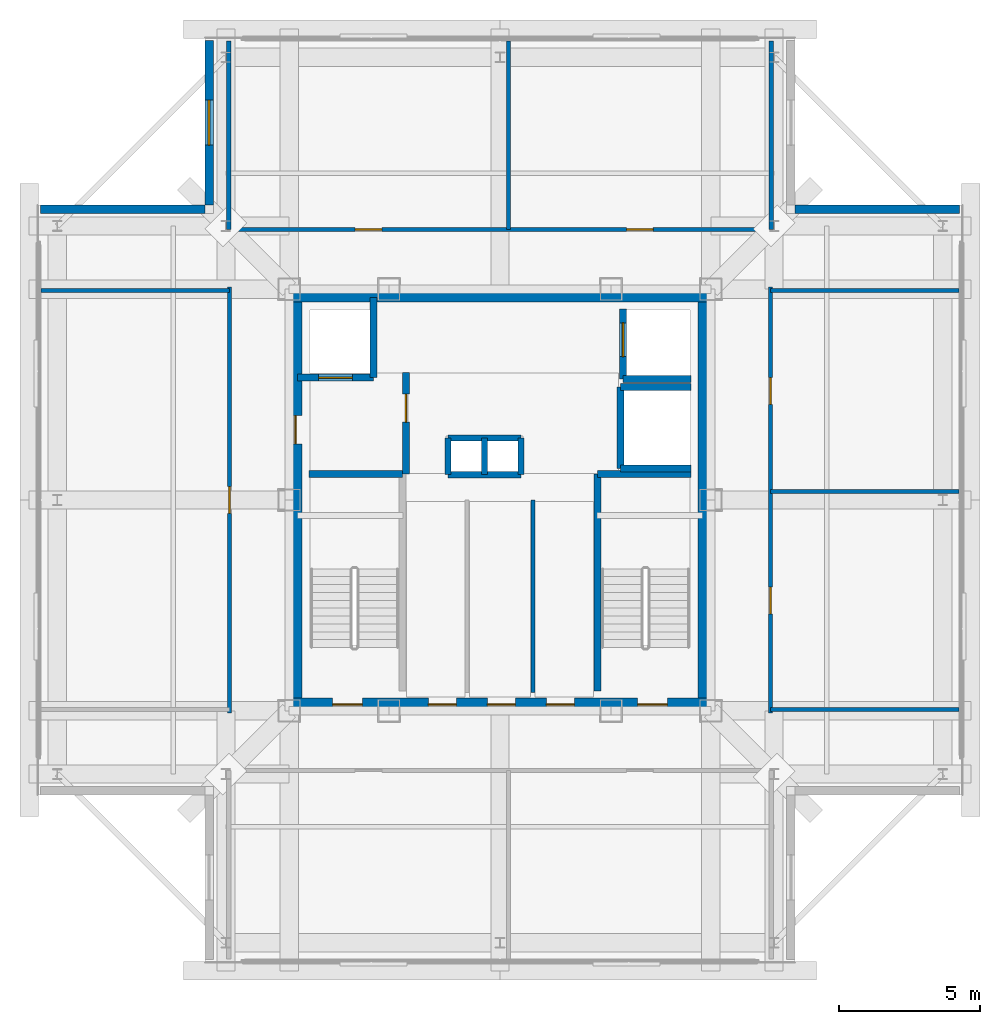
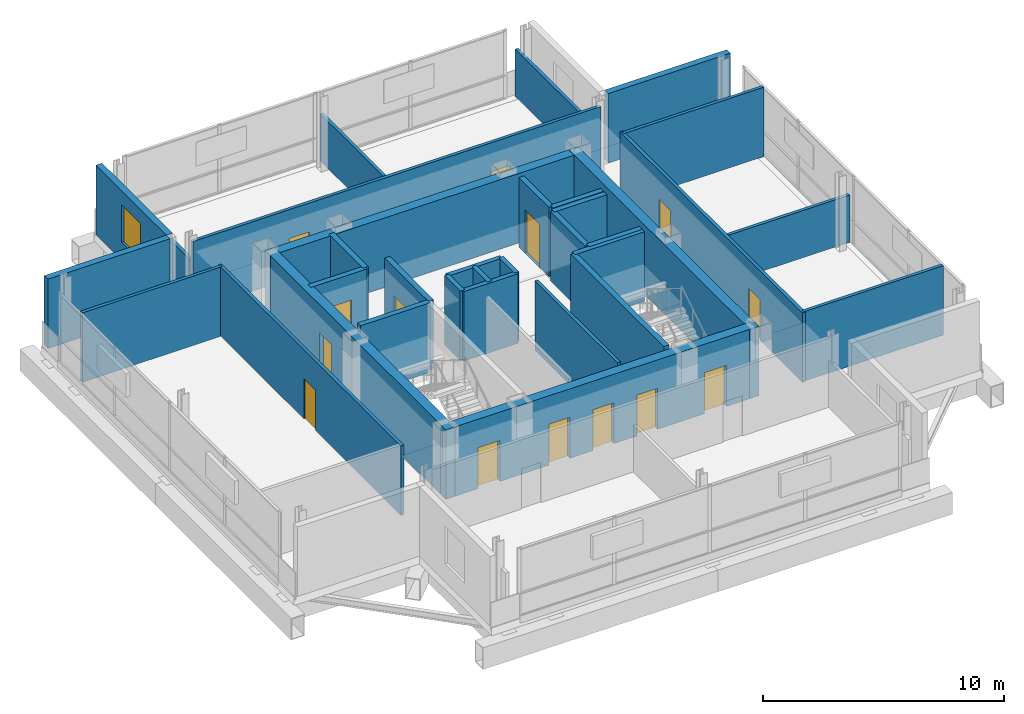
# One storey, part 9 of 12: 34 walls, 14 doors, 1 window, 15 openings.
"""IFC4 building model written with IfcOpenShell, lengths in metres."""

from ifc_helpers import new_model, si_unit, direction, frame, frame_2d, origin, place, context, subcontext, project, spatial, rectangle, extrude, material, layer, layer_set, type_object, element, fill, save


model = new_model("IFC4")

# Units and contexts
model_context = context("Model", 3, precision=1e-05, world=origin(), true_north=direction((0.0, 1.0)))
body_context = subcontext(model_context, "Body", "Model", "MODEL_VIEW")
ifc_project = project(units=[si_unit("LENGTHUNIT", "METRE"), si_unit("AREAUNIT", "SQUARE_METRE"), si_unit("VOLUMEUNIT", "CUBIC_METRE"), si_unit("PLANEANGLEUNIT", "RADIAN"), si_unit("MASSUNIT", "GRAM", prefix="KILO")], contexts=[model_context])

# Site, building, storey
site_placement = place(None, origin())
site = spatial("IfcSite", under=ifc_project, at=site_placement, CompositionType="ELEMENT")
building_placement = place(site_placement, origin())
building = spatial("IfcBuilding", under=site, at=building_placement, Name="Trevonay Congress Spire", CompositionType="ELEMENT")
storey_placement = place(building_placement, frame((0.0, 0.0, 308.39990234375)))
storey = spatial("IfcBuildingStorey", under=building, at=storey_placement, Name="L81", CompositionType="ELEMENT", Elevation=308.39990234375)

# Wall, openings, doors
ifc_material_1 = material(Name="Concrete C50/60", Category="concrete")
ifc_layer_1 = layer(ifc_material_1, 0.449951171875, Name="Concrete C50/60")
ifc_layer_set_1 = layer_set([ifc_layer_1], Name="Concrete C50/60")
wall_type_1 = type_object("IfcWallType", Name="WAL-CORE-450", PredefinedType="SHEAR", material=ifc_layer_set_1)
wall_1_placement = place(storey_placement, frame((-7.5, -7.27490234375, 0.0), z_axis=(0.0, 0.0, 1.0), x_axis=(1.0, 0.0, 0.0)))
wall_1 = element("IfcWall", 1, at=wall_1_placement, inside=storey, type_object=wall_type_1, Name="L81 South structural core shear wall", PredefinedType="SHEAR", context=body_context, shape_type="SweptSolid", body=[
    extrude(rectangle(XDim=15.0, YDim=0.449951171875, at=frame_2d((7.5, 0.0))), origin(), (0.0, 0.0, 1.0), 3.52001953125),
])
opening_1_placement = place(wall_1_placement, frame((1.550048828125, 0.0, 0.0)))
opening_1 = element("IfcOpeningElement", 2, at=opening_1_placement, cuts=wall_1, Name="Opening D05", PredefinedType="OPENING", context=body_context, shape_type="SweptSolid", body=[
    extrude(rectangle(XDim=1.050048828125, YDim=2.080078125, at=frame_2d((0.52490234375, 1.0400390625))), frame((0.0, 0.23486328125, 0.0), z_axis=(0.0, -1.0, 0.0), x_axis=(1.0, 0.0, 0.0)), (0.0, 0.0, 1.0), 0.469970703125),
])
opening_2_placement = place(wall_1_placement, frame((12.39990234375, 0.0, 0.0)))
opening_2 = element("IfcOpeningElement", 3, at=opening_2_placement, cuts=wall_1, Name="Opening D05", PredefinedType="OPENING", context=body_context, shape_type="SweptSolid", body=[
    extrude(rectangle(XDim=1.050048828125, YDim=2.080078125, at=frame_2d((0.52490234375, 1.0400390625))), frame((0.0, 0.23486328125, 0.0), z_axis=(0.0, -1.0, 0.0), x_axis=(1.0, 0.0, 0.0)), (0.0, 0.0, 1.0), 0.469970703125),
])
opening_3_placement = place(wall_1_placement, frame((4.949951171875, 0.0, 0.0)))
opening_3 = element("IfcOpeningElement", 4, at=opening_3_placement, cuts=wall_1, Name="Opening D06", PredefinedType="OPENING", context=body_context, shape_type="SweptSolid", body=[
    extrude(rectangle(XDim=1.0, YDim=2.080078125, at=frame_2d((0.5, 1.0400390625))), frame((0.0, 0.23486328125, 0.0), z_axis=(0.0, -1.0, 0.0), x_axis=(1.0, 0.0, 0.0)), (0.0, 0.0, 1.0), 0.469970703125),
])
opening_4_placement = place(wall_1_placement, frame((7.050048828125, 0.0, 0.0)))
opening_4 = element("IfcOpeningElement", 5, at=opening_4_placement, cuts=wall_1, Name="Opening D06", PredefinedType="OPENING", context=body_context, shape_type="SweptSolid", body=[
    extrude(rectangle(XDim=1.0, YDim=2.080078125, at=frame_2d((0.5, 1.0400390625))), frame((0.0, 0.23486328125, 0.0), z_axis=(0.0, -1.0, 0.0), x_axis=(1.0, 0.0, 0.0)), (0.0, 0.0, 1.0), 0.469970703125),
])
opening_5_placement = place(wall_1_placement, frame((9.14990234375, 0.0, 0.0)))
opening_5 = element("IfcOpeningElement", 6, at=opening_5_placement, cuts=wall_1, Name="Opening D06", PredefinedType="OPENING", context=body_context, shape_type="SweptSolid", body=[
    extrude(rectangle(XDim=1.0, YDim=2.080078125, at=frame_2d((0.5, 1.0400390625))), frame((0.0, 0.23486328125, 0.0), z_axis=(0.0, -1.0, 0.0), x_axis=(1.0, 0.0, 0.0)), (0.0, 0.0, 1.0), 0.469970703125),
])
ifc_material_2 = material(Name="Steel ASTM A572 Grade 50", Category="steel")
door_type_1 = type_object("IfcDoorType", Name="DOR-FIRE-100", OperationType="NOTDEFINED", PredefinedType="DOOR", material=ifc_material_2)
door_1_placement = place(opening_3_placement, origin())
door_1 = element("IfcDoor", 7, at=door_1_placement, inside=storey, type_object=door_type_1, Name="L81 South Core Room 1 Door", OperationType="SINGLE_SWING_RIGHT", OverallHeight=2.080078125, OverallWidth=1.0, PredefinedType="DOOR", context=body_context, shape_type="SweptSolid", body=[
    extrude(rectangle(XDim=1.0, YDim=2.080078125, at=frame_2d((0.5, 1.0400390625))), frame((0.0, 0.02490234375, 0.0), z_axis=(0.0, -1.0, 0.0), x_axis=(1.0, 0.0, 0.0)), (0.0, 0.0, 1.0), 0.050048828125),
])
fill(opening_3, door_1)
door_2_placement = place(opening_4_placement, origin())
door_2 = element("IfcDoor", 8, at=door_2_placement, inside=storey, type_object=door_type_1, Name="L81 South Core Room 2 Door", OperationType="SINGLE_SWING_LEFT", OverallHeight=2.080078125, OverallWidth=1.0, PredefinedType="DOOR", context=body_context, shape_type="SweptSolid", body=[
    extrude(rectangle(XDim=1.0, YDim=2.080078125, at=frame_2d((0.5, 1.0400390625))), frame((0.0, 0.02490234375, 0.0), z_axis=(0.0, -1.0, 0.0), x_axis=(1.0, 0.0, 0.0)), (0.0, 0.0, 1.0), 0.050048828125),
])
fill(opening_4, door_2)
door_3_placement = place(opening_5_placement, origin())
door_3 = element("IfcDoor", 9, at=door_3_placement, inside=storey, type_object=door_type_1, Name="L81 South Core Room 3 Door", OperationType="SINGLE_SWING_RIGHT", OverallHeight=2.080078125, OverallWidth=1.0, PredefinedType="DOOR", context=body_context, shape_type="SweptSolid", body=[
    extrude(rectangle(XDim=1.0, YDim=2.080078125, at=frame_2d((0.5, 1.0400390625))), frame((0.0, 0.02490234375, 0.0), z_axis=(0.0, -1.0, 0.0), x_axis=(1.0, 0.0, 0.0)), (0.0, 0.0, 1.0), 0.050048828125),
])
fill(opening_5, door_3)
door_type_2 = type_object("IfcDoorType", Name="DOR-STAIR-110", OperationType="NOTDEFINED", PredefinedType="DOOR", material=ifc_material_2)
door_4_placement = place(opening_1_placement, origin())
door_4 = element("IfcDoor", 10, at=door_4_placement, inside=storey, type_object=door_type_2, Name="L81 Protected Stair ST-1 Door", OperationType="SINGLE_SWING_LEFT", OverallHeight=2.080078125, OverallWidth=1.050048828125, PredefinedType="DOOR", context=body_context, shape_type="SweptSolid", body=[
    extrude(rectangle(XDim=1.050048828125, YDim=2.080078125, at=frame_2d((0.52490234375, 1.0400390625))), frame((0.0, 0.02490234375, 0.0), z_axis=(0.0, -1.0, 0.0), x_axis=(1.0, 0.0, 0.0)), (0.0, 0.0, 1.0), 0.050048828125),
])
fill(opening_1, door_4)
door_5_placement = place(opening_2_placement, origin())
door_5 = element("IfcDoor", 11, at=door_5_placement, inside=storey, type_object=door_type_2, Name="L81 Protected Stair ST-2 Door", OperationType="SINGLE_SWING_RIGHT", OverallHeight=2.080078125, OverallWidth=1.050048828125, PredefinedType="DOOR", context=body_context, shape_type="SweptSolid", body=[
    extrude(rectangle(XDim=1.050048828125, YDim=2.080078125, at=frame_2d((0.52490234375, 1.0400390625))), frame((0.0, 0.02490234375, 0.0), z_axis=(0.0, -1.0, 0.0), x_axis=(1.0, 0.0, 0.0)), (0.0, 0.0, 1.0), 0.050048828125),
])
fill(opening_2, door_5)

# Wall
wall_2_placement = place(storey_placement, frame((-7.5, 7.27490234375, 0.0), z_axis=(0.0, 0.0, 1.0), x_axis=(1.0, 0.0, 0.0)))
element("IfcWall", 12, at=wall_2_placement, inside=storey, type_object=wall_type_1, Name="L81 North structural core shear wall", PredefinedType="SHEAR", context=body_context, shape_type="SweptSolid", body=[
    extrude(rectangle(XDim=15.0, YDim=0.449951171875, at=frame_2d((7.5, 0.0))), origin(), (0.0, 0.0, 1.0), 3.52001953125),
])

# Wall, opening, door
wall_3_placement = place(storey_placement, frame((-7.27490234375, -7.5, 0.0), z_axis=(0.0, 0.0, 1.0), x_axis=(0.0, 1.0, 0.0)))
wall_3 = element("IfcWall", 13, at=wall_3_placement, inside=storey, type_object=wall_type_1, Name="L81 West structural core shear wall", PredefinedType="SHEAR", context=body_context, shape_type="SweptSolid", body=[
    extrude(rectangle(XDim=15.0, YDim=0.449951171875, at=frame_2d((7.5, 0.0))), origin(), (0.0, 0.0, 1.0), 3.52001953125),
])
opening_6_placement = place(wall_3_placement, frame((9.5, 0.0, 0.0)))
opening_6 = element("IfcOpeningElement", 14, at=opening_6_placement, cuts=wall_3, Name="Opening D06", PredefinedType="OPENING", context=body_context, shape_type="SweptSolid", body=[
    extrude(rectangle(XDim=1.0, YDim=2.080078125, at=frame_2d((0.5, 1.0400390625))), frame((0.0, 0.23486328125, 0.0), z_axis=(0.0, -1.0, 0.0), x_axis=(1.0, 0.0, 0.0)), (0.0, 0.0, 1.0), 0.469970703125),
])
door_6_placement = place(opening_6_placement, origin())
door_6 = element("IfcDoor", 15, at=door_6_placement, inside=storey, type_object=door_type_1, Name="L81 Firefighting Lift Lobby West Corridor Door", OperationType="SINGLE_SWING_LEFT", OverallHeight=2.080078125, OverallWidth=1.0, PredefinedType="DOOR", context=body_context, shape_type="SweptSolid", body=[
    extrude(rectangle(XDim=1.0, YDim=2.080078125, at=frame_2d((0.5, 1.0400390625))), frame((0.0, 0.02490234375, 0.0), z_axis=(0.0, -1.0, 0.0), x_axis=(1.0, 0.0, 0.0)), (0.0, 0.0, 1.0), 0.050048828125),
])
fill(opening_6, door_6)

# Wall
wall_4_placement = place(storey_placement, frame((7.27490234375, -7.5, 0.0), z_axis=(0.0, 0.0, 1.0), x_axis=(0.0, 1.0, 0.0)))
element("IfcWall", 16, at=wall_4_placement, inside=storey, type_object=wall_type_1, Name="L81 East structural core shear wall", PredefinedType="SHEAR", context=body_context, shape_type="SweptSolid", body=[
    extrude(rectangle(XDim=15.0, YDim=0.449951171875, at=frame_2d((7.5, 0.0))), origin(), (0.0, 0.0, 1.0), 3.52001953125),
])

# Wall, openings, doors
ifc_material_3 = material(Name="Concrete C40/50", Category="concrete")
ifc_layer_2 = layer(ifc_material_3, 0.14990234375, Name="Concrete C40/50")
ifc_layer_set_2 = layer_set([ifc_layer_2], Name="Concrete C40/50")
wall_type_2 = type_object("IfcWallType", Name="WAL-CORR-150", PredefinedType="PARTITIONING", material=ifc_layer_set_2)
wall_5_placement = place(storey_placement, frame((-9.77001953125, 9.6201171875, 0.0), z_axis=(0.0, 0.0, 1.0), x_axis=(1.0, 0.0, 0.0)))
wall_5 = element("IfcWall", 17, at=wall_5_placement, inside=storey, type_object=wall_type_2, Name="L81 interior wall WP-L81N-COR", PredefinedType="PARTITIONING", context=body_context, shape_type="SweptSolid", body=[
    extrude(rectangle(XDim=19.5400390625, YDim=0.14990234375, at=frame_2d((9.77001953125, 0.0))), origin(), (0.0, 0.0, 1.0), 3.52001953125),
])
opening_7_placement = place(wall_5_placement, frame((4.6201171875, 0.0, 0.0)))
opening_7 = element("IfcOpeningElement", 18, at=opening_7_placement, cuts=wall_5, Name="Opening D07", PredefinedType="OPENING", context=body_context, shape_type="SweptSolid", body=[
    extrude(rectangle(XDim=0.949951171875, YDim=2.06005859375, at=frame_2d((0.47509765625, 1.030029296875))), frame((0.0, 0.0849609375, 0.0), z_axis=(0.0, -1.0, 0.0), x_axis=(1.0, 0.0, 0.0)), (0.0, 0.0, 1.0), 0.169921875),
])
opening_8_placement = place(wall_5_placement, frame((14.27001953125, 0.0, 0.0)))
opening_8 = element("IfcOpeningElement", 19, at=opening_8_placement, cuts=wall_5, Name="Opening D07", PredefinedType="OPENING", context=body_context, shape_type="SweptSolid", body=[
    extrude(rectangle(XDim=0.949951171875, YDim=2.06005859375, at=frame_2d((0.47509765625, 1.030029296875))), frame((0.0, 0.0849609375, 0.0), z_axis=(0.0, -1.0, 0.0), x_axis=(1.0, 0.0, 0.0)), (0.0, 0.0, 1.0), 0.169921875),
])
ifc_material_4 = material(Name="Pale Anodised Aluminium EN AW-6063-T6", Category="aluminium")
door_type_3 = type_object("IfcDoorType", Name="DOR-OFFICE-95", OperationType="NOTDEFINED", PredefinedType="DOOR", material=ifc_material_4)
door_7_placement = place(opening_7_placement, origin())
door_7 = element("IfcDoor", 20, at=door_7_placement, inside=storey, type_object=door_type_3, Name="L81 Upper AHU Heat-Recovery Plant Door", OperationType="SINGLE_SWING_RIGHT", OverallHeight=2.06005859375, OverallWidth=0.949951171875, PredefinedType="DOOR", context=body_context, shape_type="SweptSolid", body=[
    extrude(rectangle(XDim=0.949951171875, YDim=2.06005859375, at=frame_2d((0.47509765625, 1.030029296875))), frame((0.0, 0.02490234375, 0.0), z_axis=(0.0, -1.0, 0.0), x_axis=(1.0, 0.0, 0.0)), (0.0, 0.0, 1.0), 0.050048828125),
])
fill(opening_7, door_7)
door_8_placement = place(opening_8_placement, origin())
door_8 = element("IfcDoor", 21, at=door_8_placement, inside=storey, type_object=door_type_3, Name="L81 Smoke Extract Fan Plant Door", OperationType="SINGLE_SWING_LEFT", OverallHeight=2.06005859375, OverallWidth=0.949951171875, PredefinedType="DOOR", context=body_context, shape_type="SweptSolid", body=[
    extrude(rectangle(XDim=0.949951171875, YDim=2.06005859375, at=frame_2d((0.47509765625, 1.030029296875))), frame((0.0, 0.02490234375, 0.0), z_axis=(0.0, -1.0, 0.0), x_axis=(1.0, 0.0, 0.0)), (0.0, 0.0, 1.0), 0.050048828125),
])
fill(opening_8, door_8)

# Wall, opening, door
wall_6_placement = place(storey_placement, frame((-9.6201171875, -7.570068359375, 0.0), z_axis=(0.0, 0.0, 1.0), x_axis=(0.0, 1.0, 0.0)))
wall_6 = element("IfcWall", 22, at=wall_6_placement, inside=storey, type_object=wall_type_2, Name="L81 interior wall WP-L81W-COR", PredefinedType="PARTITIONING", context=body_context, shape_type="SweptSolid", body=[
    extrude(rectangle(XDim=15.14013671875, YDim=0.14990234375, at=frame_2d((7.570068359375, 0.0))), origin(), (0.0, 0.0, 1.0), 3.52001953125),
])
opening_9_placement = place(wall_6_placement, frame((7.094970703125, 0.0, 0.0)))
opening_9 = element("IfcOpeningElement", 23, at=opening_9_placement, cuts=wall_6, Name="Opening D07", PredefinedType="OPENING", context=body_context, shape_type="SweptSolid", body=[
    extrude(rectangle(XDim=0.949951171875, YDim=2.06005859375, at=frame_2d((0.47509765625, 1.030029296875))), frame((0.0, 0.0849609375, 0.0), z_axis=(0.0, -1.0, 0.0), x_axis=(1.0, 0.0, 0.0)), (0.0, 0.0, 1.0), 0.169921875),
])
door_9_placement = place(opening_9_placement, origin())
door_9 = element("IfcDoor", 24, at=door_9_placement, inside=storey, type_object=door_type_3, Name="L81 High-Zone Lift Machine Plant Door", OperationType="SINGLE_SWING_RIGHT", OverallHeight=2.06005859375, OverallWidth=0.949951171875, PredefinedType="DOOR", context=body_context, shape_type="SweptSolid", body=[
    extrude(rectangle(XDim=0.949951171875, YDim=2.06005859375, at=frame_2d((0.47509765625, 1.030029296875))), frame((0.0, 0.02490234375, 0.0), z_axis=(0.0, -1.0, 0.0), x_axis=(1.0, 0.0, 0.0)), (0.0, 0.0, 1.0), 0.050048828125),
])
fill(opening_9, door_9)

# Wall, openings, doors
wall_7_placement = place(storey_placement, frame((9.6201171875, -7.570068359375, 0.0), z_axis=(0.0, 0.0, 1.0), x_axis=(0.0, 1.0, 0.0)))
wall_7 = element("IfcWall", 25, at=wall_7_placement, inside=storey, type_object=wall_type_2, Name="L81 interior wall WP-L81E-COR", PredefinedType="PARTITIONING", context=body_context, shape_type="SweptSolid", body=[
    extrude(rectangle(XDim=15.14013671875, YDim=0.14990234375, at=frame_2d((7.570068359375, 0.0))), origin(), (0.0, 0.0, 1.0), 3.52001953125),
])
opening_10_placement = place(wall_7_placement, frame((3.52001953125, 0.0, 0.0)))
opening_10 = element("IfcOpeningElement", 26, at=opening_10_placement, cuts=wall_7, Name="Opening D07", PredefinedType="OPENING", context=body_context, shape_type="SweptSolid", body=[
    extrude(rectangle(XDim=0.949951171875, YDim=2.06005859375, at=frame_2d((0.47509765625, 1.030029296875))), frame((0.0, 0.0849609375, 0.0), z_axis=(0.0, -1.0, 0.0), x_axis=(1.0, 0.0, 0.0)), (0.0, 0.0, 1.0), 0.169921875),
])
opening_11_placement = place(wall_7_placement, frame((10.969970703125, 0.0, 0.0)))
opening_11 = element("IfcOpeningElement", 27, at=opening_11_placement, cuts=wall_7, Name="Opening D07", PredefinedType="OPENING", context=body_context, shape_type="SweptSolid", body=[
    extrude(rectangle(XDim=0.949951171875, YDim=2.06005859375, at=frame_2d((0.47509765625, 1.030029296875))), frame((0.0, 0.0849609375, 0.0), z_axis=(0.0, -1.0, 0.0), x_axis=(1.0, 0.0, 0.0)), (0.0, 0.0, 1.0), 0.169921875),
])
door_10_placement = place(opening_10_placement, origin())
door_10 = element("IfcDoor", 28, at=door_10_placement, inside=storey, type_object=door_type_3, Name="L81 Crown BMS Switchboard Plant Door", OperationType="SINGLE_SWING_LEFT", OverallHeight=2.06005859375, OverallWidth=0.949951171875, PredefinedType="DOOR", context=body_context, shape_type="SweptSolid", body=[
    extrude(rectangle(XDim=0.949951171875, YDim=2.06005859375, at=frame_2d((0.47509765625, 1.030029296875))), frame((0.0, 0.02490234375, 0.0), z_axis=(0.0, -1.0, 0.0), x_axis=(1.0, 0.0, 0.0)), (0.0, 0.0, 1.0), 0.050048828125),
])
fill(opening_10, door_10)
door_11_placement = place(opening_11_placement, origin())
door_11 = element("IfcDoor", 29, at=door_11_placement, inside=storey, type_object=door_type_3, Name="L81 Pressurization Fan Plant Door", OperationType="SINGLE_SWING_RIGHT", OverallHeight=2.06005859375, OverallWidth=0.949951171875, PredefinedType="DOOR", context=body_context, shape_type="SweptSolid", body=[
    extrude(rectangle(XDim=0.949951171875, YDim=2.06005859375, at=frame_2d((0.47509765625, 1.030029296875))), frame((0.0, 0.02490234375, 0.0), z_axis=(0.0, -1.0, 0.0), x_axis=(1.0, 0.0, 0.0)), (0.0, 0.0, 1.0), 0.050048828125),
])
fill(opening_11, door_11)

# Wall
ifc_material_5 = material(Name="Precast concrete C40/50", Category="concrete")
ifc_layer_3 = layer(ifc_material_5, 0.300048828125, Name="Precast concrete C40/50")
ifc_layer_set_3 = layer_set([ifc_layer_3], Name="Precast concrete C40/50")
wall_type_3 = type_object("IfcWallType", Name="WAL-EXT-PRECAST-300", PredefinedType="SOLIDWALL", material=ifc_layer_set_3)
wall_8_placement = place(storey_placement, frame((16.35009765625, 10.35009765625, 0.0), z_axis=(0.0, 0.0, 1.0), x_axis=(-1.0, 0.0, 0.0)))
element("IfcWall", 30, at=wall_8_placement, inside=storey, type_object=wall_type_3, Name="L81 NE re-entrant notch exterior wall 2", PredefinedType="SOLIDWALL", context=body_context, shape_type="SweptSolid", body=[
    extrude(rectangle(XDim=5.85009765625, YDim=0.300048828125, at=frame_2d((2.925048828125, 0.0))), origin(), (0.0, 0.0, 1.0), 3.52001953125),
])

# Wall, opening, window
wall_9_placement = place(storey_placement, frame((-10.35009765625, 16.35009765625, 0.0), z_axis=(0.0, 0.0, 1.0), x_axis=(0.0, -1.0, 0.0)))
wall_9 = element("IfcWall", 31, at=wall_9_placement, inside=storey, type_object=wall_type_3, Name="L81 NW re-entrant notch exterior wall 1", PredefinedType="SOLIDWALL", context=body_context, shape_type="SweptSolid", body=[
    extrude(rectangle(XDim=5.85009765625, YDim=0.300048828125, at=frame_2d((2.925048828125, 0.0))), origin(), (0.0, 0.0, 1.0), 3.52001953125),
])
opening_12_placement = place(wall_9_placement, frame((2.125, 0.0, 0.89990234375)))
opening_12 = element("IfcOpeningElement", 32, at=opening_12_placement, cuts=wall_9, Name="Opening WN04", PredefinedType="OPENING", context=body_context, shape_type="SweptSolid", body=[
    extrude(rectangle(XDim=1.60009765625, YDim=1.89990234375, at=frame_2d((0.800048828125, 0.949951171875))), frame((0.0, 0.16015625, 0.0), z_axis=(0.0, -1.0, 0.0), x_axis=(1.0, 0.0, 0.0)), (0.0, 0.0, 1.0), 0.320068359375),
])
ifc_material_6 = material(Name="Insulated Low-E Vision Glass IGU", Category="glass")
window_type = type_object("IfcWindowType", Name="WIN-CROWN-160X190", PartitioningType="SINGLE_PANEL", PredefinedType="WINDOW", material=ifc_material_6)
window_placement = place(opening_12_placement, origin())
window = element("IfcWindow", 33, at=window_placement, inside=storey, type_object=window_type, Name="L81 NW corner notch window", OverallHeight=1.89990234375, OverallWidth=1.60009765625, PartitioningType="SINGLE_PANEL", PredefinedType="WINDOW", context=body_context, shape_type="SweptSolid", body=[
    extrude(rectangle(XDim=1.60009765625, YDim=1.89990234375, at=frame_2d((0.800048828125, 0.949951171875))), frame((0.0, 0.030029296875, 0.0), z_axis=(0.0, -1.0, 0.0), x_axis=(1.0, 0.0, 0.0)), (0.0, 0.0, 1.0), 0.06005859375),
])
fill(opening_12, window)

# Walls
wall_10_placement = place(storey_placement, frame((-16.35009765625, 10.35009765625, 0.0), z_axis=(0.0, 0.0, 1.0), x_axis=(1.0, 0.0, 0.0)))
element("IfcWall", 34, at=wall_10_placement, inside=storey, type_object=wall_type_3, Name="L81 NW re-entrant notch exterior wall 2", PredefinedType="SOLIDWALL", context=body_context, shape_type="SweptSolid", body=[
    extrude(rectangle(XDim=5.85009765625, YDim=0.300048828125, at=frame_2d((2.925048828125, 0.0))), origin(), (0.0, 0.0, 1.0), 3.52001953125),
])
ifc_layer_4 = layer(ifc_material_3, 0.14990234375, Name="Concrete C40/50")
ifc_layer_set_4 = layer_set([ifc_layer_4], Name="Concrete C40/50")
wall_type_4 = type_object("IfcWallType", Name="WAL-PART-150", PredefinedType="PARTITIONING", material=ifc_layer_set_4)
wall_11_placement = place(storey_placement, frame((1.169921875, -6.85009765625, 0.0), z_axis=(0.0, 0.0, 1.0), x_axis=(0.0, 1.0, 0.0)))
element("IfcWall", 35, at=wall_11_placement, inside=storey, type_object=wall_type_4, Name="L81 interior wall CW-F2B-L81", PredefinedType="PARTITIONING", context=body_context, shape_type="SweptSolid", body=[
    extrude(rectangle(XDim=6.85009765625, YDim=0.14990234375, at=frame_2d((3.425048828125, 0.0))), origin(), (0.0, 0.0, 1.0), 3.52001953125),
])
for number, where, z_axis, x_axis, name in (
    (36, (-9.64990234375, 9.6201171875, 0.0), (0.0, 0.0, 1.0), (0.0, 1.0, 0.0), "L81 interior wall WP-L81N-DIV1"),
    (37, (0.300048828125, 9.6201171875, 0.0), (0.0, 0.0, 1.0), (0.0, 1.0, 0.0), "L81 interior wall WP-L81N-DIV2"),
    (38, (9.64990234375, 9.6201171875, 0.0), (0.0, 0.0, 1.0), (0.0, 1.0, 0.0), "L81 interior wall WP-L81N-DIV3"),
):
    element("IfcWall", number, at=place(storey_placement, frame(where, z_axis=z_axis, x_axis=x_axis)), inside=storey, type_object=wall_type_4, Name=name, PredefinedType="PARTITIONING", context=body_context, shape_type="SweptSolid", body=[
        extrude(rectangle(XDim=6.699951171875, YDim=0.14990234375, at=frame_2d((3.35009765625, 0.0))), origin(), (0.0, 0.0, 1.0), 2.39501953125),
    ])
for number, where, z_axis, x_axis, name in (
    (39, (-16.320068359375, 7.449951171875, 0.0), (0.0, 0.0, 1.0), (1.0, 0.0, 0.0), "L81 interior wall WP-L81W-DIV2"),
    (40, (9.6201171875, -7.449951171875, 0.0), (0.0, 0.0, 1.0), (1.0, 0.0, 0.0), "L81 interior wall WP-L81E-DIV1"),
):
    element("IfcWall", number, at=place(storey_placement, frame(where, z_axis=z_axis, x_axis=x_axis)), inside=storey, type_object=wall_type_4, Name=name, PredefinedType="PARTITIONING", context=body_context, shape_type="SweptSolid", body=[
        extrude(rectangle(XDim=6.699951171875, YDim=0.14990234375, at=frame_2d((3.35009765625, 0.0))), origin(), (0.0, 0.0, 1.0), 3.52001953125),
    ])
wall_12_placement = place(storey_placement, frame((9.6201171875, 0.300048828125, 0.0), z_axis=(0.0, 0.0, 1.0), x_axis=(1.0, 0.0, 0.0)))
element("IfcWall", 41, at=wall_12_placement, inside=storey, type_object=wall_type_4, Name="L81 interior wall WP-L81E-DIV2", PredefinedType="PARTITIONING", context=body_context, shape_type="SweptSolid", body=[
    extrude(rectangle(XDim=6.699951171875, YDim=0.14990234375, at=frame_2d((3.35009765625, 0.0))), origin(), (0.0, 0.0, 1.0), 2.39501953125),
])
wall_13_placement = place(storey_placement, frame((9.6201171875, 7.449951171875, 0.0), z_axis=(0.0, 0.0, 1.0), x_axis=(1.0, 0.0, 0.0)))
element("IfcWall", 42, at=wall_13_placement, inside=storey, type_object=wall_type_4, Name="L81 interior wall WP-L81E-DIV3", PredefinedType="PARTITIONING", context=body_context, shape_type="SweptSolid", body=[
    extrude(rectangle(XDim=6.699951171875, YDim=0.14990234375, at=frame_2d((3.35009765625, 0.0))), origin(), (0.0, 0.0, 1.0), 3.52001953125),
])
ifc_layer_5 = layer(ifc_material_3, 0.219970703125, Name="Concrete C40/50")
ifc_layer_set_5 = layer_set([ifc_layer_5], Name="Concrete C40/50")
wall_type_5 = type_object("IfcWallType", Name="WAL-SHAFT-220", PredefinedType="PARTITIONING", material=ifc_layer_set_5)
for number, where, z_axis, x_axis, name in (
    (43, (-1.85009765625, 2.199951171875, 0.0), (0.0, 0.0, 1.0), (1.0, 0.0, 0.0), "L81 interior shaft wall WSH-L81-RSR-N"),
    (44, (-1.85009765625, 0.89990234375, 0.0), (0.0, 0.0, 1.0), (1.0, 0.0, 0.0), "L81 interior shaft wall WSH-L81-RSR-S"),
):
    element("IfcWall", number, at=place(storey_placement, frame(where, z_axis=z_axis, x_axis=x_axis)), inside=storey, type_object=wall_type_5, Name=name, PredefinedType="PARTITIONING", context=body_context, shape_type="SweptSolid", body=[
        extrude(rectangle(XDim=2.60009765625, YDim=0.219970703125, at=frame_2d((1.300048828125, 0.0))), origin(), (0.0, 0.0, 1.0), 3.52001953125),
    ])
for number, where, z_axis, x_axis, name in (
    (45, (-0.550048828125, 0.89990234375, 0.0), (0.0, 0.0, 1.0), (0.0, 1.0, 0.0), "L81 interior shaft wall WSH-L81-RSR-M"),
    (46, (0.75, 0.89990234375, 0.0), (0.0, 0.0, 1.0), (0.0, 1.0, 0.0), "L81 interior shaft wall WSH-L81-RSR-E"),
    (47, (-1.85009765625, 0.89990234375, 0.0), (0.0, 0.0, 1.0), (0.0, 1.0, 0.0), "L81 interior shaft wall WSH-L81-RSR-W"),
):
    element("IfcWall", number, at=place(storey_placement, frame(where, z_axis=z_axis, x_axis=x_axis)), inside=storey, type_object=wall_type_5, Name=name, PredefinedType="PARTITIONING", context=body_context, shape_type="SweptSolid", body=[
        extrude(rectangle(XDim=1.300048828125, YDim=0.219970703125, at=frame_2d((0.64990234375, 0.0))), origin(), (0.0, 0.0, 1.0), 3.52001953125),
    ])

# Wall, opening, door
ifc_layer_6 = layer(ifc_material_3, 0.25, Name="Concrete C40/50")
ifc_layer_set_6 = layer_set([ifc_layer_6], Name="Concrete C40/50")
wall_type_6 = type_object("IfcWallType", Name="WAL-SHAFT-250", PredefinedType="SHEAR", material=ifc_layer_set_6)
wall_14_placement = place(storey_placement, frame((-7.199951171875, 4.35009765625, 0.0), z_axis=(0.0, 0.0, 1.0), x_axis=(1.0, 0.0, 0.0)))
wall_14 = element("IfcWall", 48, at=wall_14_placement, inside=storey, type_object=wall_type_6, Name="L81 interior shaft wall WSH-L81-FF1-S", PredefinedType="SHEAR", context=body_context, shape_type="SweptSolid", body=[
    extrude(rectangle(XDim=2.699951171875, YDim=0.25, at=frame_2d((1.35009765625, 0.0))), origin(), (0.0, 0.0, 1.0), 3.52001953125),
])
opening_13_placement = place(wall_14_placement, frame((0.75, 0.0, 0.0)))
opening_13 = element("IfcOpeningElement", 49, at=opening_13_placement, cuts=wall_14, Name="Opening LD04", PredefinedType="OPENING", context=body_context, shape_type="SweptSolid", body=[
    extrude(rectangle(XDim=1.199951171875, YDim=2.199951171875, at=frame_2d((0.60009765625, 1.10009765625))), frame((0.0, 0.135009765625, 0.0), z_axis=(0.0, -1.0, 0.0), x_axis=(1.0, 0.0, 0.0)), (0.0, 0.0, 1.0), 0.27001953125),
])
door_type_4 = type_object("IfcDoorType", Name="DOR-LIFT-LD04", OperationType="DOUBLE_DOOR_SLIDING", PredefinedType="DOOR", material=ifc_material_2)
door_12_placement = place(opening_13_placement, origin())
door_12 = element("IfcDoor", 50, at=door_12_placement, inside=storey, type_object=door_type_4, Name="L81 Firefighting lift FFL-01 landing door", OperationType="DOUBLE_DOOR_SLIDING", OverallHeight=2.199951171875, OverallWidth=1.199951171875, PredefinedType="DOOR", context=body_context, shape_type="SweptSolid", body=[
    extrude(rectangle(XDim=1.199951171875, YDim=2.199951171875, at=frame_2d((0.60009765625, 1.10009765625))), frame((0.0, 0.02490234375, 0.0), z_axis=(0.0, -1.0, 0.0), x_axis=(1.0, 0.0, 0.0)), (0.0, 0.0, 1.0), 0.050048828125),
])
fill(opening_13, door_12)

# Walls
wall_15_placement = place(storey_placement, frame((-4.5, 4.35009765625, 0.0), z_axis=(0.0, 0.0, 1.0), x_axis=(0.0, 1.0, 0.0)))
element("IfcWall", 51, at=wall_15_placement, inside=storey, type_object=wall_type_6, Name="L81 interior shaft wall WSH-L81-FF1-E", PredefinedType="SHEAR", context=body_context, shape_type="SweptSolid", body=[
    extrude(rectangle(XDim=2.849853515625, YDim=0.25, at=frame_2d((1.4248046875, 0.0))), origin(), (0.0, 0.0, 1.0), 3.52001953125),
])
wall_16_placement = place(storey_placement, frame((4.3798828125, 4.300048828125, 0.0), z_axis=(0.0, 0.0, 1.0), x_axis=(1.0, 0.0, 0.0)))
element("IfcWall", 52, at=wall_16_placement, inside=storey, type_object=wall_type_6, Name="L81 interior shaft wall WSH-L81-FF2-S", PredefinedType="SHEAR", context=body_context, shape_type="SweptSolid", body=[
    extrude(rectangle(XDim=2.420166015625, YDim=0.25, at=frame_2d((1.2099609375, 0.0))), origin(), (0.0, 0.0, 1.0), 3.52001953125),
])

# Wall, opening, door
wall_17_placement = place(storey_placement, frame((4.3798828125, 4.300048828125, 0.0), z_axis=(0.0, 0.0, 1.0), x_axis=(0.0, 1.0, 0.0)))
wall_17 = element("IfcWall", 53, at=wall_17_placement, inside=storey, type_object=wall_type_6, Name="L81 interior shaft wall WSH-L81-FF2-W", PredefinedType="SHEAR", context=body_context, shape_type="SweptSolid", body=[
    extrude(rectangle(XDim=2.5, YDim=0.25, at=frame_2d((1.25, 0.0))), origin(), (0.0, 0.0, 1.0), 3.52001953125),
])
opening_14_placement = place(wall_17_placement, frame((0.800048828125, 0.0, 0.0)))
opening_14 = element("IfcOpeningElement", 54, at=opening_14_placement, cuts=wall_17, Name="Opening LD04", PredefinedType="OPENING", context=body_context, shape_type="SweptSolid", body=[
    extrude(rectangle(XDim=1.199951171875, YDim=2.199951171875, at=frame_2d((0.60009765625, 1.10009765625))), frame((0.0, 0.135009765625, 0.0), z_axis=(0.0, -1.0, 0.0), x_axis=(1.0, 0.0, 0.0)), (0.0, 0.0, 1.0), 0.27001953125),
])
door_13_placement = place(opening_14_placement, origin())
door_13 = element("IfcDoor", 55, at=door_13_placement, inside=storey, type_object=door_type_4, Name="L81 Firefighting lift FFL-02 landing door", OperationType="DOUBLE_DOOR_SLIDING", OverallHeight=2.199951171875, OverallWidth=1.199951171875, PredefinedType="DOOR", context=body_context, shape_type="SweptSolid", body=[
    extrude(rectangle(XDim=1.199951171875, YDim=2.199951171875, at=frame_2d((0.60009765625, 1.10009765625))), frame((0.0, 0.02490234375, 0.0), z_axis=(0.0, -1.0, 0.0), x_axis=(1.0, 0.0, 0.0)), (0.0, 0.0, 1.0), 0.050048828125),
])
fill(opening_14, door_13)

# Walls
wall_18_placement = place(storey_placement, frame((4.280029296875, 1.1201171875, 0.0), z_axis=(0.0, 0.0, 1.0), x_axis=(0.0, 1.0, 0.0)))
element("IfcWall", 56, at=wall_18_placement, inside=storey, type_object=wall_type_6, Name="L81 interior shaft wall WSH-L81-SV-W", PredefinedType="SHEAR", context=body_context, shape_type="SweptSolid", body=[
    extrude(rectangle(XDim=2.89990234375, YDim=0.25, at=frame_2d((1.449951171875, 0.0))), origin(), (0.0, 0.0, 1.0), 3.52001953125),
])
for number, where, z_axis, x_axis, name in (
    (57, (4.280029296875, 1.1201171875, 0.0), (0.0, 0.0, 1.0), (1.0, 0.0, 0.0), "L81 interior shaft wall WSH-L81-SV-S"),
    (58, (4.280029296875, 4.02001953125, 0.0), (0.0, 0.0, 1.0), (1.0, 0.0, 0.0), "L81 interior shaft wall WSH-L81-SV-N"),
):
    element("IfcWall", number, at=place(storey_placement, frame(where, z_axis=z_axis, x_axis=x_axis)), inside=storey, type_object=wall_type_6, Name=name, PredefinedType="SHEAR", context=body_context, shape_type="SweptSolid", body=[
        extrude(rectangle(XDim=2.52001953125, YDim=0.25, at=frame_2d((1.260009765625, 0.0))), origin(), (0.0, 0.0, 1.0), 3.52001953125),
    ])

# Wall, opening, door
wall_19_placement = place(storey_placement, frame((-3.35009765625, 0.919921875, 0.0), z_axis=(0.0, 0.0, 1.0), x_axis=(0.0, 1.0, 0.0)))
wall_19 = element("IfcWall", 59, at=wall_19_placement, inside=storey, type_object=wall_type_6, Name="L81 interior wall CW-FFLW-E-L81", PredefinedType="SHEAR", context=body_context, shape_type="SweptSolid", body=[
    extrude(rectangle(XDim=3.6201171875, YDim=0.25, at=frame_2d((1.81005859375, 0.0))), origin(), (0.0, 0.0, 1.0), 3.52001953125),
])
opening_15_placement = place(wall_19_placement, frame((1.85009765625, 0.0, 0.0)))
opening_15 = element("IfcOpeningElement", 60, at=opening_15_placement, cuts=wall_19, Name="Opening D06", PredefinedType="OPENING", context=body_context, shape_type="SweptSolid", body=[
    extrude(rectangle(XDim=1.0, YDim=2.080078125, at=frame_2d((0.5, 1.0400390625))), frame((0.0, 0.135009765625, 0.0), z_axis=(0.0, -1.0, 0.0), x_axis=(1.0, 0.0, 0.0)), (0.0, 0.0, 1.0), 0.27001953125),
])
door_14_placement = place(opening_15_placement, origin())
door_14 = element("IfcDoor", 61, at=door_14_placement, inside=storey, type_object=door_type_1, Name="L81 Firefighting Core Lobby Transfer Door", OperationType="SINGLE_SWING_LEFT", OverallHeight=2.080078125, OverallWidth=1.0, PredefinedType="DOOR", context=body_context, shape_type="SweptSolid", body=[
    extrude(rectangle(XDim=1.0, YDim=2.080078125, at=frame_2d((0.5, 1.0400390625))), frame((0.0, 0.02490234375, 0.0), z_axis=(0.0, -1.0, 0.0), x_axis=(1.0, 0.0, 0.0)), (0.0, 0.0, 1.0), 0.050048828125),
])
fill(opening_15, door_14)

# Walls
ifc_layer_7 = layer(ifc_material_3, 0.25, Name="Concrete C40/50")
ifc_layer_set_7 = layer_set([ifc_layer_7], Name="Concrete C40/50")
wall_type_7 = type_object("IfcWallType", Name="WAL-SHAFT-LB-250", PredefinedType="SHEAR", material=ifc_layer_set_7)
wall_20_placement = place(storey_placement, frame((-6.800048828125, 0.919921875, 0.0), z_axis=(0.0, 0.0, 1.0), x_axis=(1.0, 0.0, 0.0)))
element("IfcWall", 62, at=wall_20_placement, inside=storey, type_object=wall_type_7, Name="L81 interior shaft wall WSH-L81-ST1-N", PredefinedType="SHEAR", context=body_context, shape_type="SweptSolid", body=[
    extrude(rectangle(XDim=3.330078125, YDim=0.25, at=frame_2d((1.6650390625, 0.0))), origin(), (0.0, 0.0, 1.0), 3.52001953125),
])
wall_21_placement = place(storey_placement, frame((3.469970703125, -6.800048828125, 0.0), z_axis=(0.0, 0.0, 1.0), x_axis=(0.0, 1.0, 0.0)))
element("IfcWall", 63, at=wall_21_placement, inside=storey, type_object=wall_type_7, Name="L81 interior shaft wall WSH-L81-ST2-W", PredefinedType="SHEAR", context=body_context, shape_type="SweptSolid", body=[
    extrude(rectangle(XDim=7.719970703125, YDim=0.25, at=frame_2d((3.85986328125, 0.0))), origin(), (0.0, 0.0, 1.0), 3.52001953125),
])
wall_22_placement = place(storey_placement, frame((3.469970703125, 0.919921875, 0.0), z_axis=(0.0, 0.0, 1.0), x_axis=(1.0, 0.0, 0.0)))
element("IfcWall", 64, at=wall_22_placement, inside=storey, type_object=wall_type_7, Name="L81 interior shaft wall WSH-L81-ST2-N", PredefinedType="SHEAR", context=body_context, shape_type="SweptSolid", body=[
    extrude(rectangle(XDim=3.330078125, YDim=0.25, at=frame_2d((1.6650390625, 0.0))), origin(), (0.0, 0.0, 1.0), 3.52001953125),
])

save(model, "model.ifc")
